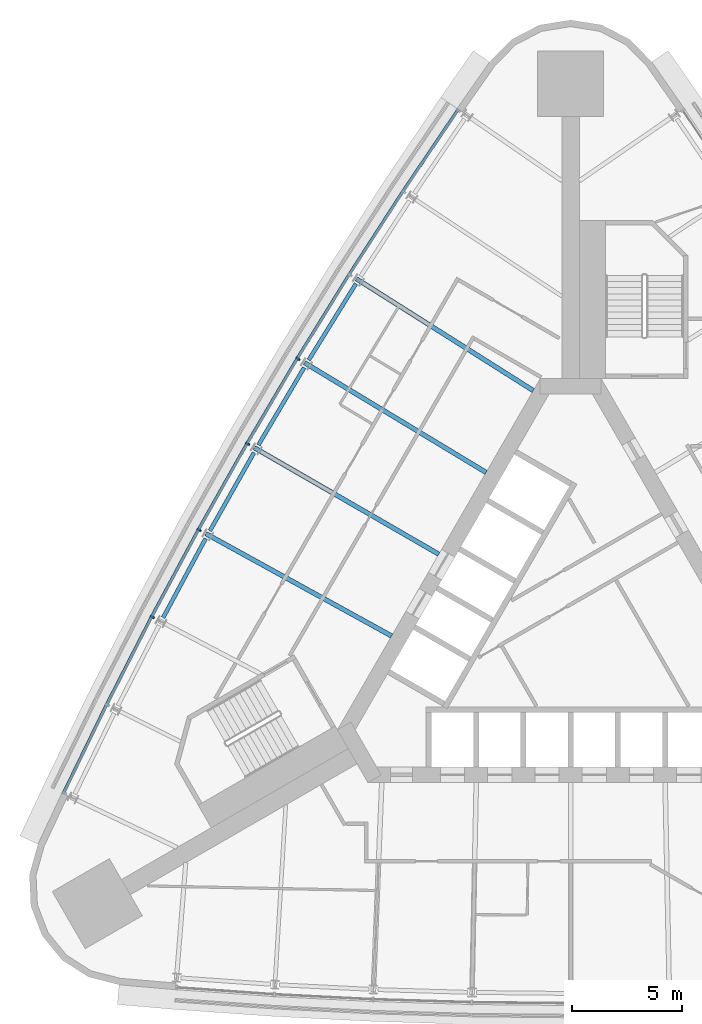
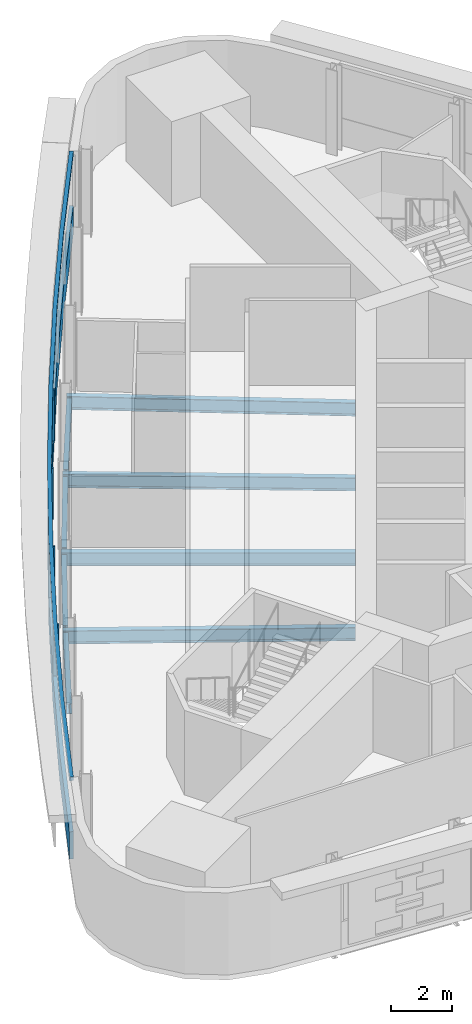
# One storey, part 3 of 11: 8 beams, 6 members, 1 element without a shape of its own.
"""IFC4 building model written with IfcOpenShell, lengths in metres."""

from ifc_helpers import new_model, si_unit, direction, frame, origin, origin_2d, place, context, subcontext, project, spatial, polyline, rectangle, i_section, outline, extrude, material, material_profile, profile_set, type_object, element, aggregate, save


model = new_model("IFC4")

# Units and contexts
model_context = context("Model", 3, precision=1e-05, world=origin(), true_north=direction((0.0, 1.0)))
body_context = subcontext(model_context, "Body", "Model", "MODEL_VIEW")
ifc_project = project(units=[si_unit("LENGTHUNIT", "METRE"), si_unit("AREAUNIT", "SQUARE_METRE"), si_unit("VOLUMEUNIT", "CUBIC_METRE"), si_unit("PLANEANGLEUNIT", "RADIAN"), si_unit("MASSUNIT", "GRAM", prefix="KILO")], contexts=[model_context])

# Site, building, storey
site_placement = place(None, origin())
site = spatial("IfcSite", under=ifc_project, at=site_placement, CompositionType="ELEMENT")
building_placement = place(site_placement, origin())
building = spatial("IfcBuilding", under=site, at=building_placement, Name="Noor Cloister Tower", CompositionType="ELEMENT")
storey_placement = place(building_placement, frame((0.0, 0.0, 109.5)))
storey = spatial("IfcBuildingStorey", under=building, at=storey_placement, Name="L28", CompositionType="ELEMENT", Elevation=109.5)

# Curtain wall, members
ifc_material_1 = material(Name="Aluminium 6063-T6 anodised", Category="aluminium")
curtain_wall_type = type_object("IfcCurtainWallType", Name="Ribbon curtain wall, lower tower CW1", PredefinedType="NOTDEFINED", material=ifc_material_1)
curtain_wall_placement = place(storey_placement, origin())
curtain_wall = element("IfcCurtainWall", 1, at=curtain_wall_placement, inside=storey, type_object=curtain_wall_type, Name="CW1 L28 NW run 1", PredefinedType="NOTDEFINED")
ifc_material_2 = material(Name="Aluminium 6063-T6 anodised", Category="aluminium")
member_type_1 = type_object("IfcMemberType", Name="Head transom CW1 150", PredefinedType="USERDEFINED", material=ifc_material_2)
member_1_placement = place(storey_placement, frame((0.0, 0.0, 3.14990234375)))
member_1 = element("IfcMember", 2, at=member_1_placement, type_object=member_type_1, Name="CW1 head transom", ObjectType="TRANSOM", PredefinedType="USERDEFINED", context=body_context, shape_type="SweptSolid", body=[
    extrude(outline(polyline([(-5.1708984375, 23.747802734375), (-7.68896484375, 20.018310546875), (-10.131591796875, 16.239013671875), (-12.498046875, 12.41162109375), (-14.786865234375, 8.537353515625), (-16.99755859375, 4.617919921875), (-19.129150390625, 0.65478515625), (-21.180908203125, -3.350341796875), (-23.151611328125, -7.395751953125), (-23.02587890625, -7.45703125), (-21.0556640625, -3.412841796875), (-19.00537109375, 0.589599609375), (-16.875, 4.55029296875), (-14.665771484375, 8.46728515625), (-12.378173828125, 12.339111328125), (-10.013427734375, 16.164306640625), (-7.572265625, 19.941162109375), (-5.054931640625, 23.66943359375), (-5.1708984375, 23.747802734375)])), origin(), (0.0, 0.0, 1.0), 0.150146484375),
])
ifc_material_3 = material(Name="Aluminium 6063-T6 anodised", Category="aluminium")
ifc_material_profile_1 = material_profile(ifc_material_3, rectangle(XDim=0.199951171875, YDim=0.080078125, at=origin_2d()), Name="200 x 80 mullion")
ifc_profile_set_1 = profile_set([ifc_material_profile_1], Name="Aluminium 6063-T6 anodised")
member_type_2 = type_object("IfcMemberType", Name="Mullion CW1 80 x 200", PredefinedType="MULLION", material=ifc_profile_set_1)
member_2_placement = place(storey_placement, frame((-12.412353515625, 12.35986328125, 1.10009765625), z_axis=(0.0, 0.0, 1.0), x_axis=(0.855812134138, -0.517286759025, 0.0)))
member_2 = element("IfcMember", 3, at=member_2_placement, type_object=member_type_2, Name="CW1 mullion 4", PredefinedType="MULLION", context=body_context, shape_type="SweptSolid", body=[
    extrude(rectangle(XDim=0.199951171875, YDim=0.080078125, at=origin_2d()), origin(), (0.0, 0.0, 1.0), 2.0498046875),
])
member_3_placement = place(storey_placement, frame((-14.700439453125, 8.4873046875, 1.10009765625), z_axis=(0.0, 0.0, 1.0), x_axis=(0.866025403784, -0.5, 0.0)))
member_3 = element("IfcMember", 4, at=member_3_placement, type_object=member_type_2, Name="CW1 mullion 5", PredefinedType="MULLION", context=body_context, shape_type="SweptSolid", body=[
    extrude(rectangle(XDim=0.199951171875, YDim=0.080078125, at=origin_2d()), origin(), (0.0, 0.0, 1.0), 2.0498046875),
])
member_4_placement = place(storey_placement, frame((-16.91015625, 4.569580078125, 1.10009765625), z_axis=(0.0, 0.0, 1.0), x_axis=(0.875889541426, -0.482511669518, 0.0)))
member_4 = element("IfcMember", 5, at=member_4_placement, type_object=member_type_2, Name="CW1 mullion 6", PredefinedType="MULLION", context=body_context, shape_type="SweptSolid", body=[
    extrude(rectangle(XDim=0.199951171875, YDim=0.080078125, at=origin_2d()), origin(), (0.0, 0.0, 1.0), 2.0498046875),
])
member_5_placement = place(storey_placement, frame((-19.040771484375, 0.6083984375, 1.10009765625), z_axis=(0.0, 0.0, 1.0), x_axis=(0.885400578517, -0.464828802423, 0.0)))
member_5 = element("IfcMember", 6, at=member_5_placement, type_object=member_type_2, Name="CW1 mullion 7", PredefinedType="MULLION", context=body_context, shape_type="SweptSolid", body=[
    extrude(rectangle(XDim=0.199951171875, YDim=0.080078125, at=origin_2d()), origin(), (0.0, 0.0, 1.0), 2.0498046875),
])

# Beams
ifc_material_4 = material(Name="Steel ASTM A992 Gr 50", Category="steel")
ifc_material_profile_2 = material_profile(ifc_material_4, i_section(OverallWidth=0.208984375, OverallDepth=0.532958984375, WebThickness=0.01025390625, FlangeThickness=0.015625, FilletRadius=0.0126953125, at=origin_2d()), Name="W530x92")
ifc_profile_set_2 = profile_set([ifc_material_profile_2], Name="Steel ASTM A992 Gr 50")
beam_type_1 = type_object("IfcBeamType", Name="Radial beam W530x92", PredefinedType="BEAM", material=ifc_profile_set_2)
beam_1_placement = place(storey_placement, frame((-9.751708984375, 15.998779296875, -0.466552734375), z_axis=(0.845253699424, -0.534365215569, 0.0), x_axis=(0.534365215569, 0.845253699424, 0.0)))
element("IfcBeam", 7, at=beam_1_placement, inside=storey, type_object=beam_type_1, Name="Radial beam NW 03 L28", PredefinedType="BEAM", context=body_context, shape_type="SweptSolid", body=[
    extrude(i_section(OverallWidth=0.208984375, OverallDepth=0.532958984375, WebThickness=0.01025390625, FlangeThickness=0.015625, FilletRadius=0.0126953125, at=origin_2d()), origin(), (0.0, 0.0, 1.0), 9.524169921875),
])
beam_2_placement = place(storey_placement, frame((-12.11328125, 12.178955078125, -0.466552734375), z_axis=(0.855814783714, -0.517282375475, 0.0), x_axis=(0.517282375475, 0.855814783714, 0.0)))
element("IfcBeam", 8, at=beam_2_placement, inside=storey, type_object=beam_type_1, Name="Radial beam NW 04 L28", PredefinedType="BEAM", context=body_context, shape_type="SweptSolid", body=[
    extrude(i_section(OverallWidth=0.208984375, OverallDepth=0.532958984375, WebThickness=0.01025390625, FlangeThickness=0.015625, FilletRadius=0.0126953125, at=origin_2d()), origin(), (0.0, 0.0, 1.0), 9.653564453125),
])
beam_3_placement = place(storey_placement, frame((-14.397705078125, 8.3125, -0.466552734375), z_axis=(0.866026681613, -0.49999778673, 0.0), x_axis=(0.49999778673, 0.866026681613, 0.0)))
element("IfcBeam", 9, at=beam_3_placement, inside=storey, type_object=beam_type_1, Name="Radial beam NW 05 L28", PredefinedType="BEAM", context=body_context, shape_type="SweptSolid", body=[
    extrude(i_section(OverallWidth=0.208984375, OverallDepth=0.532958984375, WebThickness=0.01025390625, FlangeThickness=0.015625, FilletRadius=0.0126953125, at=origin_2d()), origin(), (0.0, 0.0, 1.0), 9.69677734375),
])
beam_4_placement = place(storey_placement, frame((-16.60400390625, 4.40087890625, -0.466552734375), z_axis=(0.875892135721, -0.482506960138, 0.0), x_axis=(0.482506960138, 0.875892135721, 0.0)))
element("IfcBeam", 10, at=beam_4_placement, inside=storey, type_object=beam_type_1, Name="Radial beam NW 06 L28", PredefinedType="BEAM", context=body_context, shape_type="SweptSolid", body=[
    extrude(i_section(OverallWidth=0.208984375, OverallDepth=0.532958984375, WebThickness=0.01025390625, FlangeThickness=0.015625, FilletRadius=0.0126953125, at=origin_2d()), origin(), (0.0, 0.0, 1.0), 9.653564453125),
])

# Member
ifc_material_5 = material(Name="Aluminium 6063-T6 anodised", Category="aluminium")
member_type_3 = type_object("IfcMemberType", Name="Sill transom CW1 1100", PredefinedType="USERDEFINED", material=ifc_material_5)
member_6_placement = place(storey_placement, origin())
member_6 = element("IfcMember", 11, at=member_6_placement, type_object=member_type_3, Name="CW1 sill transom", ObjectType="TRANSOM", PredefinedType="USERDEFINED", context=body_context, shape_type="SweptSolid", body=[
    extrude(outline(polyline([(-5.1708984375, 23.747802734375), (-7.68896484375, 20.018310546875), (-10.131591796875, 16.239013671875), (-12.498046875, 12.41162109375), (-14.786865234375, 8.537353515625), (-16.99755859375, 4.617919921875), (-19.129150390625, 0.65478515625), (-21.180908203125, -3.350341796875), (-23.151611328125, -7.395751953125), (-23.02587890625, -7.45703125), (-21.0556640625, -3.412841796875), (-19.00537109375, 0.589599609375), (-16.875, 4.55029296875), (-14.665771484375, 8.46728515625), (-12.378173828125, 12.339111328125), (-10.013427734375, 16.164306640625), (-7.572265625, 19.941162109375), (-5.054931640625, 23.66943359375), (-5.1708984375, 23.747802734375)])), origin(), (0.0, 0.0, 1.0), 1.10009765625),
])

aggregate(curtain_wall, [member_2, member_3, member_4, member_5, member_6, member_1])

# Beams
ifc_material_6 = material(Name="Steel ASTM A992 Gr 50", Category="steel")
ifc_material_profile_3 = material_profile(ifc_material_6, i_section(OverallWidth=0.177978515625, OverallDepth=0.406005859375, WebThickness=0.0078125, FlangeThickness=0.0126953125, FilletRadius=0.01025390625, at=origin_2d()), Name="W410x60")
ifc_profile_set_3 = profile_set([ifc_material_profile_3], Name="Steel ASTM A992 Gr 50")
beam_type_2 = type_object("IfcBeamType", Name="Spandrel beam W410x60", PredefinedType="SPANDREL", material=ifc_profile_set_3)
for number, where, z_axis, x_axis, name in (
    (12, (-9.772216796875, 15.774658203125, -0.403076171875), (-0.525859022029, -0.850571742389, 0.0), (0.850571742389, -0.525859022029, 0.0), "Spandrel beam NW 03 L28"),
    (13, (-12.129150390625, 11.954345703125, -0.403076171875), (-0.508705167369, -0.860940795115, 0.0), (0.860940795115, -0.508705167369, 0.0), "Spandrel beam NW 04 L28"),
    (14, (-14.4091796875, 8.087646484375, -0.403076171875), (-0.491281688798, -0.871000747561, 0.0), (0.871000747561, -0.491281688798, 0.0), "Spandrel beam NW 05 L28"),
    (15, (-16.61083984375, 4.17578125, -0.403076171875), (-0.473722264801, -0.880674296112, 0.0), (0.880674296112, -0.473722264801, 0.0), "Spandrel beam NW 06 L28"),
):
    element("IfcBeam", number, at=place(storey_placement, frame(where, z_axis=z_axis, x_axis=x_axis)), inside=storey, type_object=beam_type_2, Name=name, PredefinedType="SPANDREL", context=body_context, shape_type="SweptSolid", body=[
        extrude(i_section(OverallWidth=0.177978515625, OverallDepth=0.406005859375, WebThickness=0.0078125, FlangeThickness=0.0126953125, FilletRadius=0.01025390625, at=origin_2d()), origin(), (0.0, 0.0, 1.0), 4.087890625),
    ])

save(model, "model.ifc")
